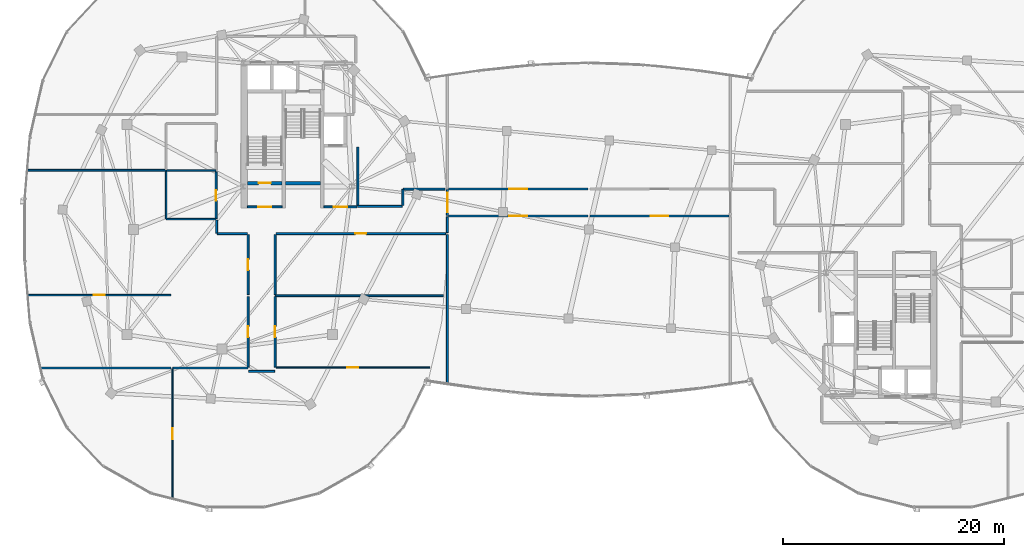
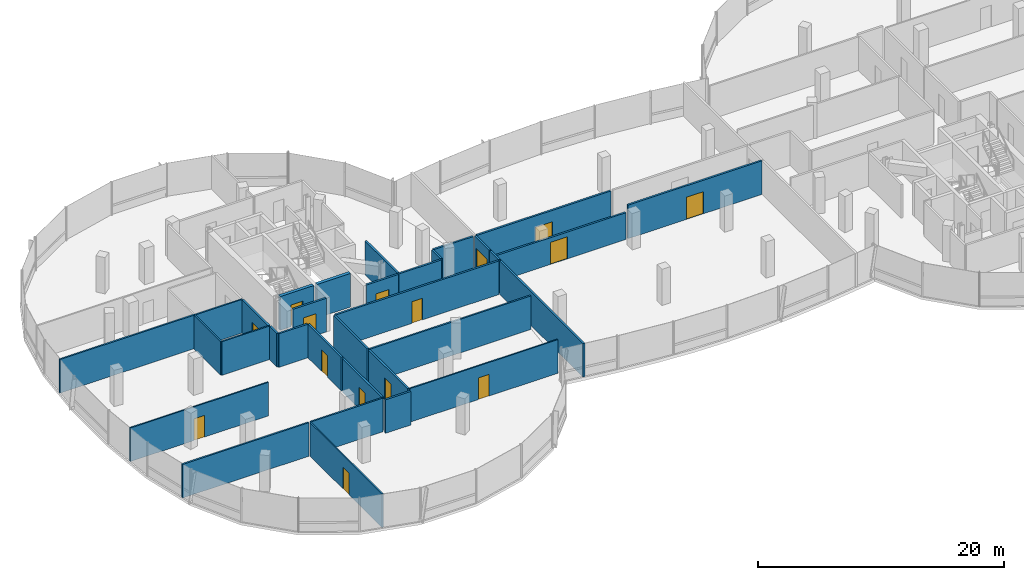
# One storey, part 14 of 25: 33 walls, 15 doors, 15 openings.
"""IFC4 building model written with IfcOpenShell, lengths in metres."""

from ifc_helpers import new_model, si_unit, direction, frame, frame_2d, origin, place, context, subcontext, project, spatial, rectangle, extrude, material, layer, layer_set, type_object, element, fill, save


model = new_model("IFC4")

# Units and contexts
model_context = context("Model", 3, precision=1e-05, world=origin(), true_north=direction((0.0, 1.0)))
body_context = subcontext(model_context, "Body", "Model", "MODEL_VIEW")
ifc_project = project(units=[si_unit("LENGTHUNIT", "METRE"), si_unit("AREAUNIT", "SQUARE_METRE"), si_unit("VOLUMEUNIT", "CUBIC_METRE"), si_unit("PLANEANGLEUNIT", "RADIAN"), si_unit("MASSUNIT", "GRAM", prefix="KILO"), si_unit("THERMODYNAMICTEMPERATUREUNIT", "KELVIN"), si_unit("POWERUNIT", "WATT")], contexts=[model_context])

# Site, building, storey
site_placement = place(None, origin())
site = spatial("IfcSite", under=ifc_project, at=site_placement, CompositionType="ELEMENT")
building_placement = place(site_placement, origin())
building = spatial("IfcBuilding", under=site, at=building_placement, Name="Cundina Bronze Exchange", CompositionType="ELEMENT")
storey_placement = place(building_placement, frame((0.0, 0.0, 250.39990234375)))
storey = spatial("IfcBuildingStorey", under=building, at=storey_placement, Name="L66", CompositionType="ELEMENT", Elevation=250.39990234375)

# Wall
ifc_material_1 = material(Name="Gypsum Fireboard Partition EI120")
ifc_layer_1 = layer(ifc_material_1, 0.179931640625, Name="Gypsum Fireboard Partition EI120")
ifc_layer_set_1 = layer_set([ifc_layer_1], Name="Gypsum Fireboard Partition EI120")
wall_type_1 = type_object("IfcWallType", Name="WL-COR-180", PredefinedType="PARTITIONING", material=ifc_layer_set_1)
wall_1_placement = place(storey_placement, frame((-20.889892578125, 2.14990234375, 0.0), z_axis=(0.0, 0.0, 1.0), x_axis=(0.0, 1.0, 0.0)))
element("IfcWall", 1, at=wall_1_placement, inside=storey, type_object=wall_type_1, Name="L66 W Firefighting Lobby Side Wall", PredefinedType="PARTITIONING", context=body_context, shape_type="SweptSolid", body=[
    extrude(rectangle(XDim=5.300048828125, YDim=0.179931640625, at=frame_2d((2.64990234375, 0.0))), origin(), (0.0, 0.0, 1.0), 3.340087890625),
])

# Wall, opening, door
wall_2_placement = place(storey_placement, frame((-23.97998046875, 2.06005859375, 0.0), z_axis=(0.0, 0.0, 1.0), x_axis=(1.0, 0.0, 0.0)))
wall_2 = element("IfcWall", 2, at=wall_2_placement, inside=storey, type_object=wall_type_1, Name="L66 W Firefighting Lobby Exit Wall", PredefinedType="PARTITIONING", context=body_context, shape_type="SweptSolid", body=[
    extrude(rectangle(XDim=3.0, YDim=0.179931640625, at=frame_2d((1.5, 0.0))), origin(), (0.0, 0.0, 1.0), 3.340087890625),
])
opening_1_placement = place(wall_2_placement, frame((0.89990234375, 0.0, 0.0)))
opening_1 = element("IfcOpeningElement", 3, at=opening_1_placement, cuts=wall_2, Name="Opening DF-01", PredefinedType="OPENING", context=body_context, shape_type="SweptSolid", body=[
    extrude(rectangle(XDim=1.199951171875, YDim=2.14990234375, at=frame_2d((0.60009765625, 1.074951171875))), frame((0.0, 0.099853515625, 0.0), z_axis=(0.0, -1.0, 0.0), x_axis=(1.0, 0.0, 0.0)), (0.0, 0.0, 1.0), 0.199951171875),
])
ifc_material_2 = material(Name="Steel ASTM A36 Painted", Category="steel")
door_type_1 = type_object("IfcDoorType", Name="DR-FFL-1200", OperationType="NOTDEFINED", PredefinedType="DOOR", material=ifc_material_2)
door_1_placement = place(opening_1_placement, origin())
door_1 = element("IfcDoor", 4, at=door_1_placement, inside=storey, type_object=door_type_1, Name="L66 W Firefighting Lobby Door", OperationType="SINGLE_SWING_RIGHT", OverallHeight=2.14990234375, OverallWidth=1.199951171875, PredefinedType="DOOR", context=body_context, shape_type="SweptSolid", body=[
    extrude(rectangle(XDim=1.199951171875, YDim=2.14990234375, at=frame_2d((0.60009765625, 1.074951171875))), frame((0.0, 0.02490234375, 0.0), z_axis=(0.0, -1.0, 0.0), x_axis=(1.0, 0.0, 0.0)), (0.0, 0.0, 1.0), 0.050048828125),
])
fill(opening_1, door_1)

wall_3_placement = place(storey_placement, frame((-30.89990234375, 2.06005859375, 0.0), z_axis=(0.0, 0.0, 1.0), x_axis=(1.0, 0.0, 0.0)))
wall_3 = element("IfcWall", 5, at=wall_3_placement, inside=storey, type_object=wall_type_1, Name="L66 W Stair Vestibule Exit Wall", PredefinedType="PARTITIONING", context=body_context, shape_type="SweptSolid", body=[
    extrude(rectangle(XDim=3.159912109375, YDim=0.179931640625, at=frame_2d((1.580078125, 0.0))), origin(), (0.0, 0.0, 1.0), 3.340087890625),
])
opening_2_placement = place(wall_3_placement, frame((0.97998046875, 0.0, 0.0)))
opening_2 = element("IfcOpeningElement", 6, at=opening_2_placement, cuts=wall_3, Name="Opening DF-01", PredefinedType="OPENING", context=body_context, shape_type="SweptSolid", body=[
    extrude(rectangle(XDim=1.199951171875, YDim=2.14990234375, at=frame_2d((0.60009765625, 1.074951171875))), frame((0.0, 0.099853515625, 0.0), z_axis=(0.0, -1.0, 0.0), x_axis=(1.0, 0.0, 0.0)), (0.0, 0.0, 1.0), 0.199951171875),
])
door_2_placement = place(opening_2_placement, origin())
door_2 = element("IfcDoor", 7, at=door_2_placement, inside=storey, type_object=door_type_1, Name="L66 W Stair Vestibule Door", OperationType="SINGLE_SWING_LEFT", OverallHeight=2.14990234375, OverallWidth=1.199951171875, PredefinedType="DOOR", context=body_context, shape_type="SweptSolid", body=[
    extrude(rectangle(XDim=1.199951171875, YDim=2.14990234375, at=frame_2d((0.60009765625, 1.074951171875))), frame((0.0, 0.02490234375, 0.0), z_axis=(0.0, -1.0, 0.0), x_axis=(1.0, 0.0, 0.0)), (0.0, 0.0, 1.0), 0.050048828125),
])
fill(opening_2, door_2)

wall_4_placement = place(storey_placement, frame((-33.719970703125, 0.969970703125, 0.0), z_axis=(0.0, 0.0, 1.0), x_axis=(0.0, 1.0, 0.0)))
wall_4 = element("IfcWall", 8, at=wall_4_placement, inside=storey, type_object=wall_type_1, Name="L66 Interior Partition 010", PredefinedType="PARTITIONING", context=body_context, shape_type="SweptSolid", body=[
    extrude(rectangle(XDim=4.260009765625, YDim=0.179931640625, at=frame_2d((2.1298828125, 0.0))), origin(), (0.0, 0.0, 1.0), 3.340087890625),
])
opening_3_placement = place(wall_4_placement, frame((1.655029296875, 0.0, 0.0)))
opening_3 = element("IfcOpeningElement", 9, at=opening_3_placement, cuts=wall_4, Name="Opening DW-01", PredefinedType="OPENING", context=body_context, shape_type="SweptSolid", body=[
    extrude(rectangle(XDim=0.949951171875, YDim=2.10009765625, at=frame_2d((0.47509765625, 1.050048828125))), frame((0.0, 0.099853515625, 0.0), z_axis=(0.0, -1.0, 0.0), x_axis=(1.0, 0.0, 0.0)), (0.0, 0.0, 1.0), 0.199951171875),
])
ifc_material_3 = material(Name="Solid Andean Oak Timber Grade A", Category="wood")
door_type_2 = type_object("IfcDoorType", Name="DR-WC-950", OperationType="NOTDEFINED", PredefinedType="DOOR", material=ifc_material_3)
door_3_placement = place(opening_3_placement, origin())
door_3 = element("IfcDoor", 10, at=door_3_placement, inside=storey, type_object=door_type_2, Name="L66 Interior Door 010", OperationType="SINGLE_SWING_LEFT", OverallHeight=2.10009765625, OverallWidth=0.949951171875, PredefinedType="DOOR", context=body_context, shape_type="SweptSolid", body=[
    extrude(rectangle(XDim=0.949951171875, YDim=2.10009765625, at=frame_2d((0.47509765625, 1.050048828125))), frame((0.0, 0.02490234375, 0.0), z_axis=(0.0, -1.0, 0.0), x_axis=(1.0, 0.0, 0.0)), (0.0, 0.0, 1.0), 0.050048828125),
])
fill(opening_3, door_3)

# Wall
wall_5_placement = place(storey_placement, frame((-30.778564453125, -12.820068359375, 0.0), z_axis=(0.0, 0.0, 1.0), x_axis=(1.0, 0.0, 0.0)))
element("IfcWall", 11, at=wall_5_placement, inside=storey, type_object=wall_type_1, Name="L66 Interior Partition 017", PredefinedType="PARTITIONING", context=body_context, shape_type="SweptSolid", body=[
    extrude(rectangle(XDim=2.357177734375, YDim=0.179931640625, at=frame_2d((1.1787109375, 0.0))), origin(), (0.0, 0.0, 1.0), 3.340087890625),
])

# Wall, opening, door
wall_6_placement = place(storey_placement, frame((-30.820068359375, -6.070068359375, 0.0), z_axis=(0.0, 0.0, 1.0), x_axis=(0.0, -1.0, 0.0)))
wall_6 = element("IfcWall", 12, at=wall_6_placement, inside=storey, type_object=wall_type_1, Name="L66 Interior Partition 018", PredefinedType="PARTITIONING", context=body_context, shape_type="SweptSolid", body=[
    extrude(rectangle(XDim=6.35986328125, YDim=0.179931640625, at=frame_2d((3.179931640625, 0.0))), origin(), (0.0, 0.0, 1.0), 3.340087890625),
])
opening_4_placement = place(wall_6_placement, frame((2.679931640625, 0.0, 0.0)))
opening_4 = element("IfcOpeningElement", 13, at=opening_4_placement, cuts=wall_6, Name="Opening DO-01", PredefinedType="OPENING", context=body_context, shape_type="SweptSolid", body=[
    extrude(rectangle(XDim=1.0, YDim=2.14990234375, at=frame_2d((0.5, 1.074951171875))), frame((0.0, 0.099853515625, 0.0), z_axis=(0.0, -1.0, 0.0), x_axis=(1.0, 0.0, 0.0)), (0.0, 0.0, 1.0), 0.199951171875),
])
door_type_3 = type_object("IfcDoorType", Name="DR-OFF-1000", OperationType="NOTDEFINED", PredefinedType="DOOR", material=ifc_material_3)
door_4_placement = place(opening_4_placement, origin())
door_4 = element("IfcDoor", 14, at=door_4_placement, inside=storey, type_object=door_type_3, Name="L66 Interior Door 018", OperationType="SINGLE_SWING_RIGHT", OverallHeight=2.14990234375, OverallWidth=1.0, PredefinedType="DOOR", context=body_context, shape_type="SweptSolid", body=[
    extrude(rectangle(XDim=1.0, YDim=2.14990234375, at=frame_2d((0.5, 1.074951171875))), frame((0.0, 0.02490234375, 0.0), z_axis=(0.0, -1.0, 0.0), x_axis=(1.0, 0.0, 0.0)), (0.0, 0.0, 1.0), 0.050048828125),
])
fill(opening_4, door_4)

wall_7_placement = place(storey_placement, frame((-28.3798828125, -12.429931640625, 0.0), z_axis=(0.0, 0.0, 1.0), x_axis=(0.0, 1.0, 0.0)))
wall_7 = element("IfcWall", 15, at=wall_7_placement, inside=storey, type_object=wall_type_1, Name="L66 Interior Partition 019", PredefinedType="PARTITIONING", context=body_context, shape_type="SweptSolid", body=[
    extrude(rectangle(XDim=6.35986328125, YDim=0.179931640625, at=frame_2d((3.179931640625, 0.0))), origin(), (0.0, 0.0, 1.0), 3.340087890625),
])
opening_5_placement = place(wall_7_placement, frame((2.679931640625, 0.0, 0.0)))
opening_5 = element("IfcOpeningElement", 16, at=opening_5_placement, cuts=wall_7, Name="Opening DO-01", PredefinedType="OPENING", context=body_context, shape_type="SweptSolid", body=[
    extrude(rectangle(XDim=1.0, YDim=2.14990234375, at=frame_2d((0.5, 1.074951171875))), frame((0.0, 0.099853515625, 0.0), z_axis=(0.0, -1.0, 0.0), x_axis=(1.0, 0.0, 0.0)), (0.0, 0.0, 1.0), 0.199951171875),
])
door_5_placement = place(opening_5_placement, origin())
door_5 = element("IfcDoor", 17, at=door_5_placement, inside=storey, type_object=door_type_3, Name="L66 Interior Door 019", OperationType="SINGLE_SWING_LEFT", OverallHeight=2.14990234375, OverallWidth=1.0, PredefinedType="DOOR", context=body_context, shape_type="SweptSolid", body=[
    extrude(rectangle(XDim=1.0, YDim=2.14990234375, at=frame_2d((0.5, 1.074951171875))), frame((0.0, 0.02490234375, 0.0), z_axis=(0.0, -1.0, 0.0), x_axis=(1.0, 0.0, 0.0)), (0.0, 0.0, 1.0), 0.050048828125),
])
fill(opening_5, door_5)

wall_8_placement = place(storey_placement, frame((-28.300048828125, -0.3701171875, 0.0), z_axis=(0.0, 0.0, 1.0), x_axis=(1.0, 0.0, 0.0)))
wall_8 = element("IfcWall", 18, at=wall_8_placement, inside=storey, type_object=wall_type_1, Name="L66 Interior Partition 020", PredefinedType="PARTITIONING", context=body_context, shape_type="SweptSolid", body=[
    extrude(rectangle(XDim=15.34912109375, YDim=0.179931640625, at=frame_2d((7.674560546875, 0.0))), origin(), (0.0, 0.0, 1.0), 3.340087890625),
])
opening_6_placement = place(wall_8_placement, frame((7.174560546875, 0.0, 0.0)))
opening_6 = element("IfcOpeningElement", 19, at=opening_6_placement, cuts=wall_8, Name="Opening DO-01", PredefinedType="OPENING", context=body_context, shape_type="SweptSolid", body=[
    extrude(rectangle(XDim=1.0, YDim=2.14990234375, at=frame_2d((0.5, 1.074951171875))), frame((0.0, 0.099853515625, 0.0), z_axis=(0.0, -1.0, 0.0), x_axis=(1.0, 0.0, 0.0)), (0.0, 0.0, 1.0), 0.199951171875),
])
door_6_placement = place(opening_6_placement, origin())
door_6 = element("IfcDoor", 20, at=door_6_placement, inside=storey, type_object=door_type_3, Name="L66 Interior Door 020", OperationType="SINGLE_SWING_LEFT", OverallHeight=2.14990234375, OverallWidth=1.0, PredefinedType="DOOR", context=body_context, shape_type="SweptSolid", body=[
    extrude(rectangle(XDim=1.0, YDim=2.14990234375, at=frame_2d((0.5, 1.074951171875))), frame((0.0, 0.02490234375, 0.0), z_axis=(0.0, -1.0, 0.0), x_axis=(1.0, 0.0, 0.0)), (0.0, 0.0, 1.0), 0.050048828125),
])
fill(opening_6, door_6)

# Wall
wall_9_placement = place(storey_placement, frame((-28.3798828125, -5.889892578125, 0.0), z_axis=(0.0, 0.0, 1.0), x_axis=(0.0, 1.0, 0.0)))
element("IfcWall", 21, at=wall_9_placement, inside=storey, type_object=wall_type_1, Name="L66 Interior Partition 021", PredefinedType="PARTITIONING", context=body_context, shape_type="SweptSolid", body=[
    extrude(rectangle(XDim=5.43994140625, YDim=0.179931640625, at=frame_2d((2.719970703125, 0.0))), origin(), (0.0, 0.0, 1.0), 3.340087890625),
])

# Wall, opening, door
wall_10_placement = place(storey_placement, frame((-30.820068359375, -0.449951171875, 0.0), z_axis=(0.0, 0.0, 1.0), x_axis=(0.0, -1.0, 0.0)))
wall_10 = element("IfcWall", 22, at=wall_10_placement, inside=storey, type_object=wall_type_1, Name="L66 Interior Partition 022", PredefinedType="PARTITIONING", context=body_context, shape_type="SweptSolid", body=[
    extrude(rectangle(XDim=5.43994140625, YDim=0.179931640625, at=frame_2d((2.719970703125, 0.0))), origin(), (0.0, 0.0, 1.0), 3.340087890625),
])
opening_7_placement = place(wall_10_placement, frame((2.219970703125, 0.0, 0.0)))
opening_7 = element("IfcOpeningElement", 23, at=opening_7_placement, cuts=wall_10, Name="Opening DO-01", PredefinedType="OPENING", context=body_context, shape_type="SweptSolid", body=[
    extrude(rectangle(XDim=1.0, YDim=2.14990234375, at=frame_2d((0.5, 1.074951171875))), frame((0.0, 0.099853515625, 0.0), z_axis=(0.0, -1.0, 0.0), x_axis=(1.0, 0.0, 0.0)), (0.0, 0.0, 1.0), 0.199951171875),
])
door_7_placement = place(opening_7_placement, origin())
door_7 = element("IfcDoor", 24, at=door_7_placement, inside=storey, type_object=door_type_3, Name="L66 Interior Door 022", OperationType="SINGLE_SWING_RIGHT", OverallHeight=2.14990234375, OverallWidth=1.0, PredefinedType="DOOR", context=body_context, shape_type="SweptSolid", body=[
    extrude(rectangle(XDim=1.0, YDim=2.14990234375, at=frame_2d((0.5, 1.074951171875))), frame((0.0, 0.02490234375, 0.0), z_axis=(0.0, -1.0, 0.0), x_axis=(1.0, 0.0, 0.0)), (0.0, 0.0, 1.0), 0.050048828125),
])
fill(opening_7, door_7)

# Walls
wall_11_placement = place(storey_placement, frame((-33.62841796875, -0.3701171875, 0.0), z_axis=(0.0, 0.0, 1.0), x_axis=(1.0, 0.0, 0.0)))
element("IfcWall", 25, at=wall_11_placement, inside=storey, type_object=wall_type_1, Name="L66 Interior Partition 023", PredefinedType="PARTITIONING", context=body_context, shape_type="SweptSolid", body=[
    extrude(rectangle(XDim=2.728515625, YDim=0.179931640625, at=frame_2d((1.3642578125, 0.0))), origin(), (0.0, 0.0, 1.0), 3.340087890625),
])
wall_12_placement = place(storey_placement, frame((-33.669921875, 0.858642578125, 0.0), z_axis=(0.0, 0.0, 1.0), x_axis=(0.0, -1.0, 0.0)))
element("IfcWall", 26, at=wall_12_placement, inside=storey, type_object=wall_type_1, Name="L66 Interior Partition 024", PredefinedType="PARTITIONING", context=body_context, shape_type="SweptSolid", body=[
    extrude(rectangle(XDim=1.187255859375, YDim=0.179931640625, at=frame_2d((0.59375, 0.0))), origin(), (0.0, 0.0, 1.0), 3.340087890625),
])
wall_13_placement = place(storey_placement, frame((-16.89990234375, 2.10009765625, 0.0), z_axis=(0.0, 0.0, 1.0), x_axis=(-1.0, 0.0, 0.0)))
element("IfcWall", 27, at=wall_13_placement, inside=storey, type_object=wall_type_1, Name="L66 Interior Partition 026", PredefinedType="PARTITIONING", context=body_context, shape_type="SweptSolid", body=[
    extrude(rectangle(XDim=4.02001953125, YDim=0.179931640625, at=frame_2d((2.010009765625, 0.0))), origin(), (0.0, 0.0, 1.0), 3.340087890625),
])
wall_14_placement = place(storey_placement, frame((-13.025634765625, 3.669921875, 0.0), z_axis=(0.0, 0.0, 1.0), x_axis=(-1.0, 0.0, 0.0)))
element("IfcWall", 28, at=wall_14_placement, inside=storey, type_object=wall_type_1, Name="L66 Interior Partition 027", PredefinedType="PARTITIONING", context=body_context, shape_type="SweptSolid", body=[
    extrude(rectangle(XDim=3.7529296875, YDim=0.179931640625, at=frame_2d((1.87646484375, 0.0))), origin(), (0.0, 0.0, 1.0), 3.340087890625),
])
wall_15_placement = place(storey_placement, frame((-16.820068359375, 3.62841796875, 0.0), z_axis=(0.0, 0.0, 1.0), x_axis=(0.0, -1.0, 0.0)))
element("IfcWall", 29, at=wall_15_placement, inside=storey, type_object=wall_type_1, Name="L66 Interior Partition 029", PredefinedType="PARTITIONING", context=body_context, shape_type="SweptSolid", body=[
    extrude(rectangle(XDim=1.448486328125, YDim=0.179931640625, at=frame_2d((0.72412109375, 0.0))), origin(), (0.0, 0.0, 1.0), 3.340087890625),
])

# Wall, opening, door
wall_16_placement = place(storey_placement, frame((-12.6884765625, 1.22998046875, 0.0), z_axis=(0.0, 0.0, 1.0), x_axis=(1.0, 0.0, 0.0)))
wall_16 = element("IfcWall", 30, at=wall_16_placement, inside=storey, type_object=wall_type_1, Name="L66 Interior Partition 068", PredefinedType="PARTITIONING", context=body_context, shape_type="SweptSolid", body=[
    extrude(rectangle(XDim=12.593505859375, YDim=0.179931640625, at=frame_2d((6.296875, 0.0))), origin(), (0.0, 0.0, 1.0), 2.6630859375),
])
opening_8_placement = place(wall_16_placement, frame((5.49658203125, 0.0, 0.0)))
opening_8 = element("IfcOpeningElement", 31, at=opening_8_placement, cuts=wall_16, Name="Opening DO-02", PredefinedType="OPENING", context=body_context, shape_type="SweptSolid", body=[
    extrude(rectangle(XDim=1.60009765625, YDim=2.199951171875, at=frame_2d((0.800048828125, 1.10009765625))), frame((0.0, 0.099853515625, 0.0), z_axis=(0.0, -1.0, 0.0), x_axis=(1.0, 0.0, 0.0)), (0.0, 0.0, 1.0), 0.199951171875),
])
door_type_4 = type_object("IfcDoorType", Name="DR-TRD-1600", OperationType="NOTDEFINED", PredefinedType="DOOR", material=ifc_material_3)
door_8_placement = place(opening_8_placement, origin())
door_8 = element("IfcDoor", 32, at=door_8_placement, inside=storey, type_object=door_type_4, Name="L66 Interior Door 068", OperationType="SINGLE_SWING_RIGHT", OverallHeight=2.199951171875, OverallWidth=1.60009765625, PredefinedType="DOOR", context=body_context, shape_type="SweptSolid", body=[
    extrude(rectangle(XDim=1.60009765625, YDim=2.199951171875, at=frame_2d((0.800048828125, 1.10009765625))), frame((0.0, 0.02490234375, 0.0), z_axis=(0.0, -1.0, 0.0), x_axis=(1.0, 0.0, 0.0)), (0.0, 0.0, 1.0), 0.050048828125),
])
fill(opening_8, door_8)

wall_17_placement = place(storey_placement, frame((0.094970703125, 1.22998046875, 0.0), z_axis=(0.0, 0.0, 1.0), x_axis=(1.0, 0.0, 0.0)))
wall_17 = element("IfcWall", 33, at=wall_17_placement, inside=storey, type_object=wall_type_1, Name="L66 Interior Partition 069", PredefinedType="PARTITIONING", context=body_context, shape_type="SweptSolid", body=[
    extrude(rectangle(XDim=12.593505859375, YDim=0.179931640625, at=frame_2d((6.296875, 0.0))), origin(), (0.0, 0.0, 1.0), 3.340087890625),
])
opening_9_placement = place(wall_17_placement, frame((5.49658203125, 0.0, 0.0)))
opening_9 = element("IfcOpeningElement", 34, at=opening_9_placement, cuts=wall_17, Name="Opening DO-02", PredefinedType="OPENING", context=body_context, shape_type="SweptSolid", body=[
    extrude(rectangle(XDim=1.60009765625, YDim=2.199951171875, at=frame_2d((0.800048828125, 1.10009765625))), frame((0.0, 0.099853515625, 0.0), z_axis=(0.0, -1.0, 0.0), x_axis=(1.0, 0.0, 0.0)), (0.0, 0.0, 1.0), 0.199951171875),
])
door_9_placement = place(opening_9_placement, origin())
door_9 = element("IfcDoor", 35, at=door_9_placement, inside=storey, type_object=door_type_4, Name="L66 Interior Door 069", OperationType="SINGLE_SWING_LEFT", OverallHeight=2.199951171875, OverallWidth=1.60009765625, PredefinedType="DOOR", context=body_context, shape_type="SweptSolid", body=[
    extrude(rectangle(XDim=1.60009765625, YDim=2.199951171875, at=frame_2d((0.800048828125, 1.10009765625))), frame((0.0, 0.02490234375, 0.0), z_axis=(0.0, -1.0, 0.0), x_axis=(1.0, 0.0, 0.0)), (0.0, 0.0, 1.0), 0.050048828125),
])
fill(opening_9, door_9)

wall_18_placement = place(storey_placement, frame((-0.094970703125, 3.669921875, 0.0), z_axis=(0.0, 0.0, 1.0), x_axis=(-1.0, 0.0, 0.0)))
wall_18 = element("IfcWall", 36, at=wall_18_placement, inside=storey, type_object=wall_type_1, Name="L66 Interior Partition 070", PredefinedType="PARTITIONING", context=body_context, shape_type="SweptSolid", body=[
    extrude(rectangle(XDim=12.593505859375, YDim=0.179931640625, at=frame_2d((6.296875, 0.0))), origin(), (0.0, 0.0, 1.0), 3.340087890625),
])
opening_10_placement = place(wall_18_placement, frame((5.49658203125, 0.0, 0.0)))
opening_10 = element("IfcOpeningElement", 37, at=opening_10_placement, cuts=wall_18, Name="Opening DO-02", PredefinedType="OPENING", context=body_context, shape_type="SweptSolid", body=[
    extrude(rectangle(XDim=1.60009765625, YDim=2.199951171875, at=frame_2d((0.800048828125, 1.10009765625))), frame((0.0, 0.099853515625, 0.0), z_axis=(0.0, -1.0, 0.0), x_axis=(1.0, 0.0, 0.0)), (0.0, 0.0, 1.0), 0.199951171875),
])
door_10_placement = place(opening_10_placement, origin())
door_10 = element("IfcDoor", 38, at=door_10_placement, inside=storey, type_object=door_type_4, Name="L66 Interior Door 070", OperationType="SINGLE_SWING_RIGHT", OverallHeight=2.199951171875, OverallWidth=1.60009765625, PredefinedType="DOOR", context=body_context, shape_type="SweptSolid", body=[
    extrude(rectangle(XDim=1.60009765625, YDim=2.199951171875, at=frame_2d((0.800048828125, 1.10009765625))), frame((0.0, 0.02490234375, 0.0), z_axis=(0.0, -1.0, 0.0), x_axis=(1.0, 0.0, 0.0)), (0.0, 0.0, 1.0), 0.050048828125),
])
fill(opening_10, door_10)

# Walls
wall_19_placement = place(storey_placement, frame((-12.800048828125, -14.043701171875, 0.0), z_axis=(0.0, 0.0, 1.0), x_axis=(0.0, 1.0, 0.0)))
element("IfcWall", 39, at=wall_19_placement, inside=storey, type_object=wall_type_1, Name="L66 Interior Partition 072", PredefinedType="PARTITIONING", context=body_context, shape_type="SweptSolid", body=[
    extrude(rectangle(XDim=13.588623046875, YDim=0.179931640625, at=frame_2d((6.79443359375, 0.0))), origin(), (0.0, 0.0, 1.0), 3.340087890625),
])
wall_20_placement = place(storey_placement, frame((-12.800048828125, -0.284912109375, 0.0), z_axis=(0.0, 0.0, 1.0), x_axis=(0.0, 1.0, 0.0)))
element("IfcWall", 40, at=wall_20_placement, inside=storey, type_object=wall_type_1, Name="L66 Interior Partition 073", PredefinedType="PARTITIONING", context=body_context, shape_type="SweptSolid", body=[
    extrude(rectangle(XDim=1.44482421875, YDim=0.179931640625, at=frame_2d((0.722412109375, 0.0))), origin(), (0.0, 0.0, 1.0), 3.340087890625),
])

# Wall, opening, door
wall_21_placement = place(storey_placement, frame((-12.800048828125, 1.280029296875, 0.0), z_axis=(0.0, 0.0, 1.0), x_axis=(0.0, 1.0, 0.0)))
wall_21 = element("IfcWall", 41, at=wall_21_placement, inside=storey, type_object=wall_type_1, Name="L66 Interior Partition 075", PredefinedType="PARTITIONING", context=body_context, shape_type="SweptSolid", body=[
    extrude(rectangle(XDim=2.340087890625, YDim=0.179931640625, at=frame_2d((1.169921875, 0.0))), origin(), (0.0, 0.0, 1.0), 3.340087890625),
])
opening_11_placement = place(wall_21_placement, frame((0.27001953125, 0.0, 0.0)))
opening_11 = element("IfcOpeningElement", 42, at=opening_11_placement, cuts=wall_21, Name="Opening DB-01", PredefinedType="OPENING", context=body_context, shape_type="SweptSolid", body=[
    extrude(rectangle(XDim=1.800048828125, YDim=2.25, at=frame_2d((0.89990234375, 1.125))), frame((0.0, 0.099853515625, 0.0), z_axis=(0.0, -1.0, 0.0), x_axis=(1.0, 0.0, 0.0)), (0.0, 0.0, 1.0), 0.199951171875),
])
door_type_5 = type_object("IfcDoorType", Name="DR-BRG-1800", OperationType="NOTDEFINED", PredefinedType="DOOR", material=ifc_material_2)
door_11_placement = place(opening_11_placement, origin())
door_11 = element("IfcDoor", 43, at=door_11_placement, inside=storey, type_object=door_type_5, Name="L66 Interior Door 075", OperationType="DOUBLE_DOOR_SINGLE_SWING", OverallHeight=2.25, OverallWidth=1.800048828125, PredefinedType="DOOR", context=body_context, shape_type="SweptSolid", body=[
    extrude(rectangle(XDim=1.800048828125, YDim=2.25, at=frame_2d((0.89990234375, 1.125))), frame((0.0, 0.02490234375, 0.0), z_axis=(0.0, -1.0, 0.0), x_axis=(1.0, 0.0, 0.0)), (0.0, 0.0, 1.0), 0.050048828125),
])
fill(opening_11, door_11)

ifc_material_4 = material(Name="Gypsum Acoustic Partition EI60")
ifc_layer_2 = layer(ifc_material_4, 0.125, Name="Gypsum Acoustic Partition EI60")
ifc_layer_set_2 = layer_set([ifc_layer_2], Name="Gypsum Acoustic Partition EI60")
wall_type_2 = type_object("IfcWallType", Name="WL-OFF-125", PredefinedType="PARTITIONING", material=ifc_layer_set_2)
wall_22_placement = place(storey_placement, frame((-28.300048828125, -12.469970703125, 0.0), z_axis=(0.0, 0.0, 1.0), x_axis=(1.0, 0.0, 0.0)))
wall_22 = element("IfcWall", 44, at=wall_22_placement, inside=storey, type_object=wall_type_2, Name="L66 Interior Partition 032", PredefinedType="PARTITIONING", context=body_context, shape_type="SweptSolid", body=[
    extrude(rectangle(XDim=13.918701171875, YDim=0.125, at=frame_2d((6.95947265625, 0.0))), origin(), (0.0, 0.0, 1.0), 3.340087890625),
])
opening_12_placement = place(wall_22_placement, frame((6.459228515625, 0.0, 0.0)))
opening_12 = element("IfcOpeningElement", 45, at=opening_12_placement, cuts=wall_22, Name="Opening DO-01", PredefinedType="OPENING", context=body_context, shape_type="SweptSolid", body=[
    extrude(rectangle(XDim=1.0, YDim=2.14990234375, at=frame_2d((0.5, 1.074951171875))), frame((0.0, 0.072509765625, 0.0), z_axis=(0.0, -1.0, 0.0), x_axis=(1.0, 0.0, 0.0)), (0.0, 0.0, 1.0), 0.14501953125),
])
door_12_placement = place(opening_12_placement, origin())
door_12 = element("IfcDoor", 46, at=door_12_placement, inside=storey, type_object=door_type_3, Name="L66 Interior Door 032", OperationType="SINGLE_SWING_RIGHT", OverallHeight=2.14990234375, OverallWidth=1.0, PredefinedType="DOOR", context=body_context, shape_type="SweptSolid", body=[
    extrude(rectangle(XDim=1.0, YDim=2.14990234375, at=frame_2d((0.5, 1.074951171875))), frame((0.0, 0.02490234375, 0.0), z_axis=(0.0, -1.0, 0.0), x_axis=(1.0, 0.0, 0.0)), (0.0, 0.0, 1.0), 0.050048828125),
])
fill(opening_12, door_12)

wall_23_placement = place(storey_placement, frame((-37.669921875, -12.610107421875, 0.0), z_axis=(0.0, 0.0, 1.0), x_axis=(0.0, -1.0, 0.0)))
wall_23 = element("IfcWall", 47, at=wall_23_placement, inside=storey, type_object=wall_type_2, Name="L66 Interior Partition 033", PredefinedType="PARTITIONING", context=body_context, shape_type="SweptSolid", body=[
    extrude(rectangle(XDim=11.7314453125, YDim=0.125, at=frame_2d((5.86572265625, 0.0))), origin(), (0.0, 0.0, 1.0), 3.340087890625),
])
opening_13_placement = place(wall_23_placement, frame((5.36572265625, 0.0, 0.0)))
opening_13 = element("IfcOpeningElement", 48, at=opening_13_placement, cuts=wall_23, Name="Opening DO-01", PredefinedType="OPENING", context=body_context, shape_type="SweptSolid", body=[
    extrude(rectangle(XDim=1.0, YDim=2.14990234375, at=frame_2d((0.5, 1.074951171875))), frame((0.0, 0.072509765625, 0.0), z_axis=(0.0, -1.0, 0.0), x_axis=(1.0, 0.0, 0.0)), (0.0, 0.0, 1.0), 0.14501953125),
])
door_13_placement = place(opening_13_placement, origin())
door_13 = element("IfcDoor", 49, at=door_13_placement, inside=storey, type_object=door_type_3, Name="L66 Interior Door 033", OperationType="SINGLE_SWING_LEFT", OverallHeight=2.14990234375, OverallWidth=1.0, PredefinedType="DOOR", context=body_context, shape_type="SweptSolid", body=[
    extrude(rectangle(XDim=1.0, YDim=2.14990234375, at=frame_2d((0.5, 1.074951171875))), frame((0.0, 0.02490234375, 0.0), z_axis=(0.0, -1.0, 0.0), x_axis=(1.0, 0.0, 0.0)), (0.0, 0.0, 1.0), 0.050048828125),
])
fill(opening_13, door_13)

wall_24_placement = place(storey_placement, frame((-50.779296875, -5.929931640625, 0.0), z_axis=(0.0, 0.0, 1.0), x_axis=(1.0, 0.0, 0.0)))
wall_24 = element("IfcWall", 50, at=wall_24_placement, inside=storey, type_object=wall_type_2, Name="L66 Interior Partition 034", PredefinedType="PARTITIONING", context=body_context, shape_type="SweptSolid", body=[
    extrude(rectangle(XDim=12.96923828125, YDim=0.125, at=frame_2d((6.484619140625, 0.0))), origin(), (0.0, 0.0, 1.0), 3.340087890625),
])
opening_14_placement = place(wall_24_placement, frame((5.984619140625, 0.0, 0.0)))
opening_14 = element("IfcOpeningElement", 51, at=opening_14_placement, cuts=wall_24, Name="Opening DO-01", PredefinedType="OPENING", context=body_context, shape_type="SweptSolid", body=[
    extrude(rectangle(XDim=1.0, YDim=2.14990234375, at=frame_2d((0.5, 1.074951171875))), frame((0.0, 0.072509765625, 0.0), z_axis=(0.0, -1.0, 0.0), x_axis=(1.0, 0.0, 0.0)), (0.0, 0.0, 1.0), 0.14501953125),
])
door_14_placement = place(opening_14_placement, origin())
door_14 = element("IfcDoor", 52, at=door_14_placement, inside=storey, type_object=door_type_3, Name="L66 Interior Door 034", OperationType="SINGLE_SWING_LEFT", OverallHeight=2.14990234375, OverallWidth=1.0, PredefinedType="DOOR", context=body_context, shape_type="SweptSolid", body=[
    extrude(rectangle(XDim=1.0, YDim=2.14990234375, at=frame_2d((0.5, 1.074951171875))), frame((0.0, 0.02490234375, 0.0), z_axis=(0.0, -1.0, 0.0), x_axis=(1.0, 0.0, 0.0)), (0.0, 0.0, 1.0), 0.050048828125),
])
fill(opening_14, door_14)

ifc_material_5 = material(Name="Concrete C50/60", Category="concrete")
ifc_layer_3 = layer(ifc_material_5, 0.300048828125, Name="Concrete C50/60", Category="concrete")
ifc_layer_set_3 = layer_set([ifc_layer_3], Name="Concrete C50/60")
wall_type_3 = type_object("IfcWallType", Name="WL-SHFT-300", PredefinedType="SHEAR", material=ifc_layer_set_3)
wall_25_placement = place(storey_placement, frame((-30.89990234375, 4.199951171875, 0.0), z_axis=(0.0, 0.0, 1.0), x_axis=(1.0, 0.0, 0.0)))
wall_25 = element("IfcWall", 53, at=wall_25_placement, inside=storey, type_object=wall_type_3, Name="L66 Stair W1 Landing Wall", PredefinedType="SHEAR", context=body_context, shape_type="SweptSolid", body=[
    extrude(rectangle(XDim=3.159912109375, YDim=0.300048828125, at=frame_2d((1.580078125, 0.0))), origin(), (0.0, 0.0, 1.0), 3.340087890625),
])
opening_15_placement = place(wall_25_placement, frame((1.030029296875, 0.0, 0.0)))
opening_15 = element("IfcOpeningElement", 54, at=opening_15_placement, cuts=wall_25, Name="Opening DS-01", PredefinedType="OPENING", context=body_context, shape_type="SweptSolid", body=[
    extrude(rectangle(XDim=1.10009765625, YDim=2.14990234375, at=frame_2d((0.550048828125, 1.074951171875))), frame((0.0, 0.159912109375, 0.0), z_axis=(0.0, -1.0, 0.0), x_axis=(1.0, 0.0, 0.0)), (0.0, 0.0, 1.0), 0.320068359375),
])
door_type_6 = type_object("IfcDoorType", Name="DR-STR-1100", OperationType="NOTDEFINED", PredefinedType="DOOR", material=ifc_material_2)
door_15_placement = place(opening_15_placement, origin())
door_15 = element("IfcDoor", 55, at=door_15_placement, inside=storey, type_object=door_type_6, Name="L66 Smokeproof Stair W1 Door", OperationType="SINGLE_SWING_RIGHT", OverallHeight=2.14990234375, OverallWidth=1.10009765625, PredefinedType="DOOR", context=body_context, shape_type="SweptSolid", body=[
    extrude(rectangle(XDim=1.10009765625, YDim=2.14990234375, at=frame_2d((0.550048828125, 1.074951171875))), frame((0.0, 0.02490234375, 0.0), z_axis=(0.0, -1.0, 0.0), x_axis=(1.0, 0.0, 0.0)), (0.0, 0.0, 1.0), 0.050048828125),
])
fill(opening_15, door_15)

# Walls
wall_26_placement = place(storey_placement, frame((-27.43994140625, 4.199951171875, 0.0), z_axis=(0.0, 0.0, 1.0), x_axis=(1.0, 0.0, 0.0)))
element("IfcWall", 56, at=wall_26_placement, inside=storey, type_object=wall_type_3, Name="L66 Stair W2 Far Shaft Wall", PredefinedType="SHEAR", context=body_context, shape_type="SweptSolid", body=[
    extrude(rectangle(XDim=3.159912109375, YDim=0.300048828125, at=frame_2d((1.580078125, 0.0))), origin(), (0.0, 0.0, 1.0), 3.340087890625),
])
ifc_layer_4 = layer(ifc_material_4, 0.14990234375, Name="Gypsum Acoustic Partition EI60")
ifc_layer_set_4 = layer_set([ifc_layer_4], Name="Gypsum Acoustic Partition EI60")
wall_type_4 = type_object("IfcWallType", Name="WL-TEN-150", PredefinedType="PARTITIONING", material=ifc_layer_set_4)
wall_27_placement = place(storey_placement, frame((-28.35009765625, -5.97998046875, 0.0), z_axis=(0.0, 0.0, 1.0), x_axis=(1.0, 0.0, 0.0)))
element("IfcWall", 57, at=wall_27_placement, inside=storey, type_object=wall_type_4, Name="L66 Interior Partition 012", PredefinedType="PARTITIONING", context=body_context, shape_type="SweptSolid", body=[
    extrude(rectangle(XDim=15.185302734375, YDim=0.14990234375, at=frame_2d((7.5927734375, 0.0))), origin(), (0.0, 0.0, 1.0), 3.340087890625),
])
wall_28_placement = place(storey_placement, frame((-49.685791015625, -12.52001953125, 0.0), z_axis=(0.0, 0.0, 1.0), x_axis=(1.0, 0.0, 0.0)))
element("IfcWall", 58, at=wall_28_placement, inside=storey, type_object=wall_type_4, Name="L66 Interior Partition 013", PredefinedType="PARTITIONING", context=body_context, shape_type="SweptSolid", body=[
    extrude(rectangle(XDim=11.880859375, YDim=0.14990234375, at=frame_2d((5.9404296875, 0.0))), origin(), (0.0, 0.0, 1.0), 3.340087890625),
])
wall_29_placement = place(storey_placement, frame((-37.635009765625, -12.52001953125, 0.0), z_axis=(0.0, 0.0, 1.0), x_axis=(1.0, 0.0, 0.0)))
element("IfcWall", 59, at=wall_29_placement, inside=storey, type_object=wall_type_4, Name="L66 Interior Partition 014", PredefinedType="PARTITIONING", context=body_context, shape_type="SweptSolid", body=[
    extrude(rectangle(XDim=6.784912109375, YDim=0.14990234375, at=frame_2d((3.392578125, 0.0))), origin(), (0.0, 0.0, 1.0), 3.340087890625),
])
wall_30_placement = place(storey_placement, frame((-50.887451171875, 5.360107421875, 0.0), z_axis=(0.0, 0.0, 1.0), x_axis=(1.0, 0.0, 0.0)))
element("IfcWall", 60, at=wall_30_placement, inside=storey, type_object=wall_type_4, Name="L66 Interior Partition 015", PredefinedType="PARTITIONING", context=body_context, shape_type="SweptSolid", body=[
    extrude(rectangle(XDim=12.647705078125, YDim=0.14990234375, at=frame_2d((6.32373046875, 0.0))), origin(), (0.0, 0.0, 1.0), 3.340087890625),
])
ifc_material_6 = material(Name="Moisture-Resistant Masonry Block Grade M15", Category="masonry")
ifc_layer_5 = layer(ifc_material_6, 0.139892578125, Name="Moisture-Resistant Masonry Block Grade M15", Category="masonry")
ifc_layer_set_5 = layer_set([ifc_layer_5], Name="Moisture-Resistant Masonry Block Grade M15")
wall_type_5 = type_object("IfcWallType", Name="WL-WET-140", PredefinedType="PARTITIONING", material=ifc_layer_set_5)
wall_31_placement = place(storey_placement, frame((-38.239990234375, 0.969970703125, 0.0), z_axis=(0.0, 0.0, 1.0), x_axis=(0.0, 1.0, 0.0)))
element("IfcWall", 61, at=wall_31_placement, inside=storey, type_object=wall_type_5, Name="L66 Interior Partition 005", PredefinedType="PARTITIONING", context=body_context, shape_type="SweptSolid", body=[
    extrude(rectangle(XDim=4.275146484375, YDim=0.139892578125, at=frame_2d((2.1376953125, 0.0))), origin(), (0.0, 0.0, 1.0), 3.340087890625),
])
for number, where, z_axis, x_axis, name in (
    (62, (-38.219970703125, 0.949951171875, 0.0), (0.0, 0.0, 1.0), (1.0, 0.0, 0.0), "L66 Interior Partition 007"),
    (63, (-38.219970703125, 5.330078125, 0.0), (0.0, 0.0, 1.0), (1.0, 0.0, 0.0), "L66 Interior Partition 008"),
):
    element("IfcWall", number, at=place(storey_placement, frame(where, z_axis=z_axis, x_axis=x_axis)), inside=storey, type_object=wall_type_5, Name=name, PredefinedType="PARTITIONING", context=body_context, shape_type="SweptSolid", body=[
        extrude(rectangle(XDim=4.47998046875, YDim=0.139892578125, at=frame_2d((2.239990234375, 0.0))), origin(), (0.0, 0.0, 1.0), 3.340087890625),
    ])

save(model, "model.ifc")
